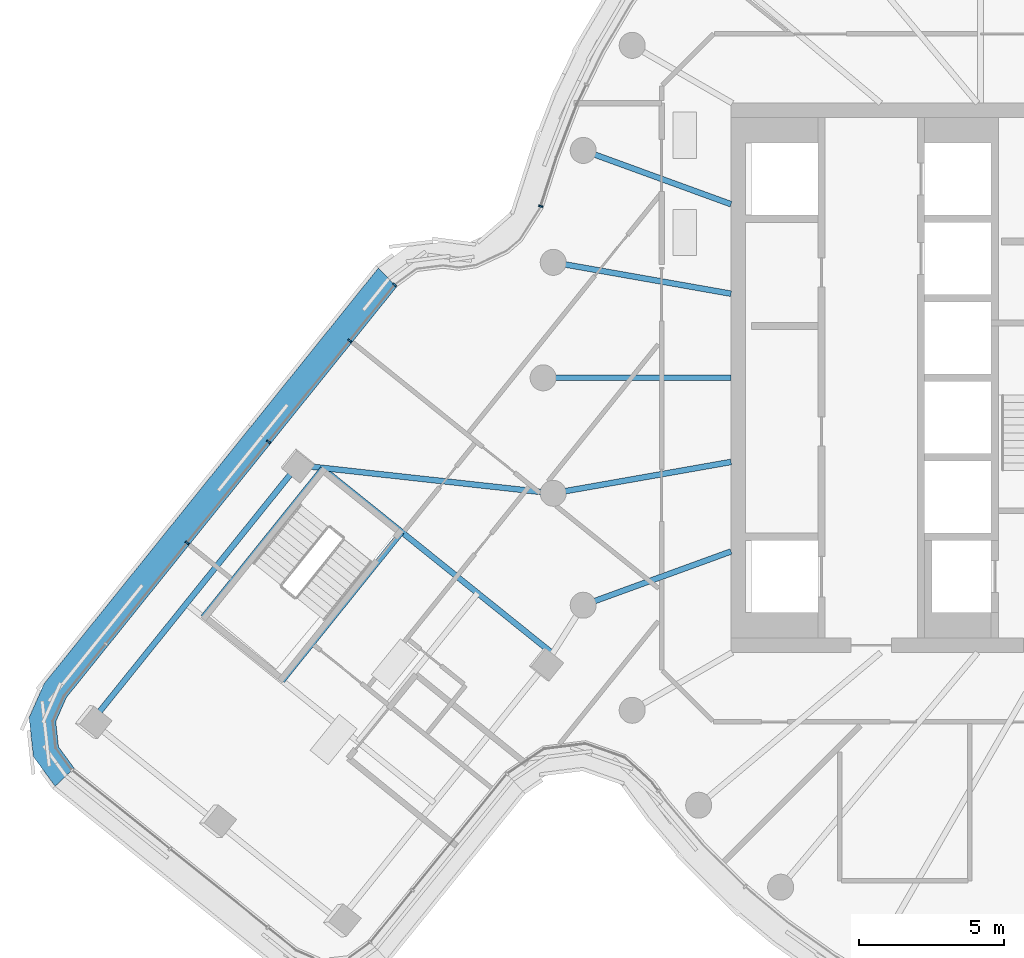
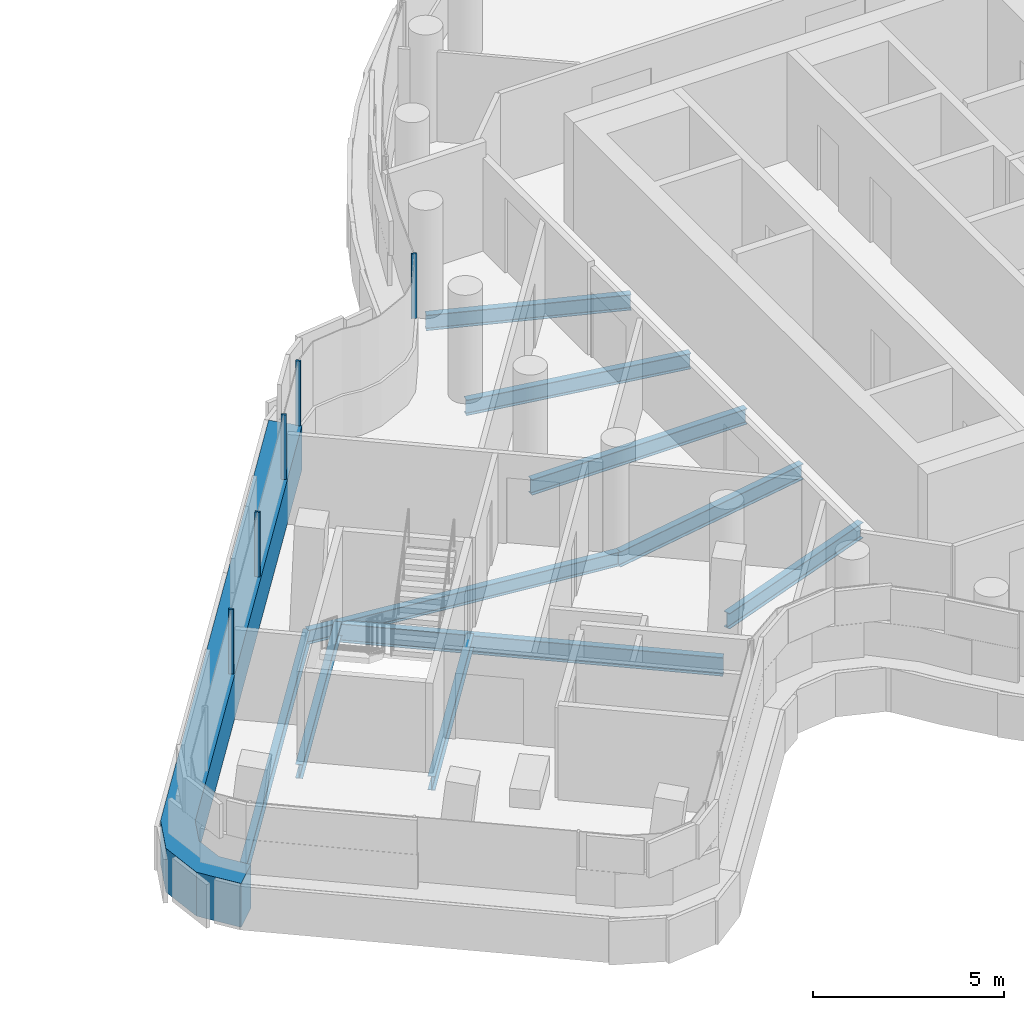
# One storey, part 6 of 25: 10 beams, 6 members, 2 elements without a shape of their own.
"""IFC4 building model written with IfcOpenShell, lengths in metres."""

import ifcopenshell
import ifcopenshell.guid

model = None  # the IFC model being written
_history = None  # IfcOwnerHistory: only IFC2X3 demands one
_inside = {}  # id of a spatial element -> (the spatial element, [elements in it])
_under = {}  # id of a project, library or spatial element -> (it, [spatial elements below it])
_declared = {}  # id of a project -> (the project, [libraries it declares])
_typed = {}  # id of a type object -> (the type object, [elements of that type])
_made_of = {}  # id of a material, layer set ... -> (it, [elements and type objects made of it])


def new_model(schema):
    """Start an empty IFC model of exactly this schema.

    Asked for "IFC4X3", IfcOpenShell would pick the latest addendum, in which some entities
    have other attributes; the version numbers below select the first issue.
    IFC2X3 requires an IfcOwnerHistory on every rooted entity: one is made here for all.
    """
    global model, _history
    if schema == "IFC4X3":
        model = ifcopenshell.file(schema_version=(4, 3, 0, 0))
    else:
        model = ifcopenshell.file(schema=schema)
    _inside.clear()
    _under.clear()
    _declared.clear()
    _typed.clear()
    _made_of.clear()
    _history = None
    if model.schema == "IFC2X3":
        org = make("IfcOrganization", Name="unknown")
        user = make(
            "IfcPersonAndOrganization",
            ThePerson=make("IfcPerson", FamilyName="unknown"),
            TheOrganization=org,
        )
        app = make(
            "IfcApplication",
            ApplicationDeveloper=org,
            Version="unknown",
            ApplicationFullName="unknown",
            ApplicationIdentifier="unknown",
        )
        _history = make(
            "IfcOwnerHistory",
            OwningUser=user,
            OwningApplication=app,
            ChangeAction="ADDED",
            CreationDate=0,
        )
    return model


def make(cls, **values):
    """One entity of the class cls with the attributes given. An attribute that is None is left unset."""
    return model.create_entity(
        cls, **{name: value for name, value in values.items() if value is not None}
    )


def rooted(cls, **values):
    """An entity with a GlobalId (a new one), such as an element, a storey or a relation."""
    return make(cls, GlobalId=ifcopenshell.guid.new(), OwnerHistory=_history, **values)


def si_unit(unit_type, name, prefix=None):
    """IfcSIUnit, for example si_unit("LENGTHUNIT", "METRE", prefix="MILLI")."""
    return make("IfcSIUnit", UnitType=unit_type, Prefix=prefix, Name=name)


def assignment(units):
    """IfcUnitAssignment: the units of a project."""
    return None if units is None else make("IfcUnitAssignment", Units=units)


def point(xyz):
    """IfcCartesianPoint."""
    return None if xyz is None else make("IfcCartesianPoint", Coordinates=xyz)


def direction(xyz):
    """IfcDirection."""
    return None if xyz is None else make("IfcDirection", DirectionRatios=xyz)


def frame(location, z_axis=None, x_axis=None):
    """IfcAxis2Placement3D, a coordinate frame: its origin and axes. An axis left out is left unset."""
    return make(
        "IfcAxis2Placement3D",
        Location=point(location),
        Axis=direction(z_axis),
        RefDirection=direction(x_axis),
    )


def frame_2d(location, x_axis=None):
    """IfcAxis2Placement2D, a coordinate frame in the plane: its origin and x axis."""
    return make(
        "IfcAxis2Placement2D", Location=point(location), RefDirection=direction(x_axis)
    )


def origin():
    """The frame at (0, 0, 0) with its axes left unset."""
    return frame((0.0, 0.0, 0.0))


def origin_2d():
    """The frame at (0, 0) in the plane with its x axis left unset."""
    return frame_2d((0.0, 0.0))


def place(relative_to, where):
    """IfcLocalPlacement: puts the frame where relative to a parent placement (None: the world)."""
    return make(
        "IfcLocalPlacement", PlacementRelTo=relative_to, RelativePlacement=where
    )


def context(
    kind, dimensions, precision=None, world=None, true_north=None, identifier=None
):
    """IfcGeometricRepresentationContext, for example the 3D "Model" context."""
    return make(
        "IfcGeometricRepresentationContext",
        ContextIdentifier=identifier,
        ContextType=kind,
        CoordinateSpaceDimension=dimensions,
        Precision=precision,
        WorldCoordinateSystem=world,
        TrueNorth=true_north,
    )


def subcontext(parent, identifier, kind, view, scale=None):
    """IfcGeometricRepresentationSubContext, for example "Body" below "Model"."""
    return make(
        "IfcGeometricRepresentationSubContext",
        ContextIdentifier=identifier,
        ContextType=kind,
        ParentContext=parent,
        TargetScale=scale,
        TargetView=view,
    )


def project(units=None, contexts=None):
    """IfcProject with its units and contexts."""
    return rooted(
        "IfcProject",
        Name="project",
        RepresentationContexts=contexts,
        UnitsInContext=assignment(units),
    )


def spatial(cls, under=None, at=None, **own):
    """A site, building, storey or space (cls), placed at a placement, below another one or the project."""
    s = rooted(cls, ObjectPlacement=at, **own)
    if under is not None:
        _under.setdefault(under.id(), (under, []))[1].append(s)
    return s


def polyline(points):
    """IfcPolyline through the points."""
    return make("IfcPolyline", Points=[point(p) for p in points])


def profile(cls, at=None, kind="AREA", **sizes):
    """A parametric profile (cls). Its sizes go by their IFC names, for example OverallWidth=200.0."""
    return make(cls, ProfileType=kind, Position=at, **sizes)


def rectangle(**sizes):
    """IfcRectangleProfileDef."""
    return profile("IfcRectangleProfileDef", **sizes)


def i_section(**sizes):
    """IfcIShapeProfileDef."""
    return profile("IfcIShapeProfileDef", **sizes)


def outline(outer, holes=None, kind="AREA"):
    """IfcArbitraryClosedProfileDef: a profile drawn as a closed curve; with holes, ...WithVoids."""
    if holes is None:
        return make("IfcArbitraryClosedProfileDef", ProfileType=kind, OuterCurve=outer)
    return make(
        "IfcArbitraryProfileDefWithVoids",
        ProfileType=kind,
        OuterCurve=outer,
        InnerCurves=holes,
    )


def extrude(swept, where, along, depth):
    """IfcExtrudedAreaSolid: the profile swept, set in the frame where, extruded along a direction by depth."""
    return make(
        "IfcExtrudedAreaSolid",
        SweptArea=swept,
        Position=where,
        ExtrudedDirection=direction(along),
        Depth=depth,
    )


def shape(context_of_items, identifier, shape_type, items):
    """IfcShapeRepresentation: the items that make up one representation, for example the "Body"."""
    return make(
        "IfcShapeRepresentation",
        ContextOfItems=context_of_items,
        RepresentationIdentifier=identifier,
        RepresentationType=shape_type,
        Items=items,
    )


def material(Name=None, Category=None):
    """IfcMaterial."""
    return make("IfcMaterial", Name=Name, Category=Category)


def layer(
    of_material, thickness, ventilated=None, Name=None, Category=None, Priority=None
):
    """IfcMaterialLayer: one layer of a wall or slab, of a material (None: an air gap)."""
    return make(
        "IfcMaterialLayer",
        Material=of_material,
        LayerThickness=thickness,
        IsVentilated=ventilated,
        Name=Name,
        Category=Category,
        Priority=Priority,
    )


def layer_set(layers, Name=None):
    """IfcMaterialLayerSet."""
    return make("IfcMaterialLayerSet", MaterialLayers=layers, LayerSetName=Name)


def material_profile(
    of_material, cross_section, Name=None, Category=None, Priority=None
):
    """IfcMaterialProfile: a cross section and its material."""
    return make(
        "IfcMaterialProfile",
        Name=Name,
        Material=of_material,
        Profile=cross_section,
        Priority=Priority,
        Category=Category,
    )


def profile_set(profiles, Name=None, composite=None):
    """IfcMaterialProfileSet."""
    return make(
        "IfcMaterialProfileSet",
        Name=Name,
        MaterialProfiles=profiles,
        CompositeProfile=composite,
    )


def made_of(thing, what):
    """Note that an element or type object is made of a material, layer set ...; save() writes the relation."""
    if what is not None:
        _made_of.setdefault(what.id(), (what, []))[1].append(thing)
    return thing


def type_object(cls, material=None, **own):
    """A type object (cls), such as IfcWallType, which elements share."""
    return made_of(rooted(cls, **own), material)


def element(
    cls,
    number,
    at=None,
    inside=None,
    cuts=None,
    type_object=None,
    material=None,
    context=None,
    identifier="Body",
    shape_type=None,
    held_by="IfcProductDefinitionShape",
    body=None,
    shapes=None,
    **own,
):
    """One element of the class cls, such as IfcWall. Its Tag is "e" and its number.

    at: its placement. inside: the storey or other place that contains it. cuts: it is an
    opening in that element (IfcRelVoidsElement). A single representation is given by context,
    identifier, shape_type and body (its items); several are given by shapes. held_by: the class
    of the entity that holds the representations. save() writes the other relations.
    """
    e = rooted(cls, Tag="e%d" % number, ObjectPlacement=at, **own)
    if body is not None:
        shapes = [shape(context, identifier, shape_type, body)]
    if shapes is not None:
        e.Representation = make(held_by, Representations=shapes)
    if inside is not None:
        _inside.setdefault(inside.id(), (inside, []))[1].append(e)
    if cuts is not None:
        rooted(
            "IfcRelVoidsElement", RelatingBuildingElement=cuts, RelatedOpeningElement=e
        )
    if type_object is not None:
        _typed.setdefault(type_object.id(), (type_object, []))[1].append(e)
    return made_of(e, material)


def aggregate(whole, parts):
    """IfcRelAggregates: a whole, such as a stair, and the parts it consists of."""
    return rooted("IfcRelAggregates", RelatingObject=whole, RelatedObjects=parts)


def save(model, path):
    """Write the relations noted so far, then the file.

    IfcRelAggregates (storeys below a building ...), IfcRelContainedInSpatialStructure (elements
    in a storey), IfcRelDefinesByType, IfcRelAssociatesMaterial and IfcRelDeclares: one each for
    every whole, place, type object, material and project.
    """
    for whole, parts in _under.values():
        aggregate(whole, parts)
    for where, things in _inside.values():
        rooted(
            "IfcRelContainedInSpatialStructure",
            RelatedElements=things,
            RelatingStructure=where,
        )
    for kind, things in _typed.values():
        rooted("IfcRelDefinesByType", RelatedObjects=things, RelatingType=kind)
    for what, things in _made_of.values():
        rooted("IfcRelAssociatesMaterial", RelatedObjects=things, RelatingMaterial=what)
    for by, libraries in _declared.values():
        rooted("IfcRelDeclares", RelatingContext=by, RelatedDefinitions=libraries)
    model.write(path)


model = new_model("IFC4")

# Units and contexts
model_context = context("Model", 3, precision=1e-05, world=origin(), true_north=direction((0.0, 1.0)))
body_context = subcontext(model_context, "Body", "Model", "MODEL_VIEW")
ifc_project = project(units=[si_unit("LENGTHUNIT", "METRE"), si_unit("AREAUNIT", "SQUARE_METRE"), si_unit("VOLUMEUNIT", "CUBIC_METRE"), si_unit("PLANEANGLEUNIT", "RADIAN"), si_unit("MASSUNIT", "GRAM", prefix="KILO")], contexts=[model_context])

# Site, building, storey
site_placement = place(None, origin())
site = spatial("IfcSite", under=ifc_project, at=site_placement, CompositionType="ELEMENT")
building_placement = place(site_placement, origin())
building = spatial("IfcBuilding", under=site, at=building_placement, Name="Tamarind Cross Interchange Tower", CompositionType="ELEMENT")
storey_placement = place(building_placement, frame((0.0, 0.0, 219.89990234375)))
storey = spatial("IfcBuildingStorey", under=building, at=storey_placement, Name="L55", CompositionType="ELEMENT", Elevation=219.89990234375)

# Beams
ifc_material_1 = material(Name="Steel Q355B", Category="steel")
ifc_material_profile_1 = material_profile(ifc_material_1, i_section(OverallWidth=0.198974609375, OverallDepth=0.446044921875, WebThickness=0.008056640625, FlangeThickness=0.011962890625, FilletRadius=0.012939453125, at=origin_2d()), Name="HN 446x199x8x12")
ifc_profile_set_1 = profile_set([ifc_material_profile_1], Name="Steel Q355B")
beam_type_1 = type_object("IfcBeamType", Name="Composite beam HN 446x199x8x12 Q355B", PredefinedType="BEAM", material=ifc_profile_set_1)
beam_1_placement = place(storey_placement, frame((-38.62353515625, -11.895263671875, -0.36279296875), z_axis=(0.626685346843, 0.779272401701, 0.0), x_axis=(-0.779272401701, 0.626685346843, 0.0)))
element("IfcBeam", 1, at=beam_1_placement, inside=storey, type_object=beam_type_1, Name="Beam W-edgeem4", PredefinedType="BEAM", context=body_context, shape_type="SweptSolid", body=[
    extrude(i_section(OverallWidth=0.198974609375, OverallDepth=0.446044921875, WebThickness=0.008056640625, FlangeThickness=0.011962890625, FilletRadius=0.012939453125, at=origin_2d()), origin(), (0.0, 0.0, 1.0), 11.38720703125),
])
beam_2_placement = place(storey_placement, frame((-31.4873046875, -3.021484375, -0.36279296875), z_axis=(0.993999728694, -0.109382536798, 0.0), x_axis=(0.109382536798, 0.993999728694, 0.0)))
element("IfcBeam", 2, at=beam_2_placement, inside=storey, type_object=beam_type_1, Name="Beam W-linkem", PredefinedType="BEAM", context=body_context, shape_type="SweptSolid", body=[
    extrude(i_section(OverallWidth=0.198974609375, OverallDepth=0.446044921875, WebThickness=0.008056640625, FlangeThickness=0.011962890625, FilletRadius=0.012939453125, at=origin_2d()), origin(), (0.0, 0.0, 1.0), 8.889892578125),
])
for number, where, z_axis, x_axis, name in (
    (3, (-30.620849609375, -3.140625, -0.36279296875), (-0.62668686962, -0.779271177092, 0.0), (0.779271177092, -0.62668686962, 0.0), "Beam W-tr0"),
    (4, (-27.8935546875, -5.333984375, -0.36279296875), (-0.626664406078, -0.779289241653, 0.0), (0.779289241653, -0.626664406078, 0.0), "Beam W-tr1"),
):
    element("IfcBeam", number, at=place(storey_placement, frame(where, z_axis=z_axis, x_axis=x_axis)), inside=storey, type_object=beam_type_1, Name=name, PredefinedType="BEAM", context=body_context, shape_type="SweptSolid", body=[
        extrude(i_section(OverallWidth=0.198974609375, OverallDepth=0.446044921875, WebThickness=0.008056640625, FlangeThickness=0.011962890625, FilletRadius=0.012939453125, at=origin_2d()), origin(), (0.0, 0.0, 1.0), 6.60009765625),
    ])
ifc_material_profile_2 = material_profile(ifc_material_1, i_section(OverallWidth=0.198974609375, OverallDepth=0.49609375, WebThickness=0.009033203125, FlangeThickness=0.013916015625, FilletRadius=0.012939453125, at=origin_2d()), Name="HN 496x199x9x14")
ifc_profile_set_2 = profile_set([ifc_material_profile_2], Name="Steel Q355B")
beam_type_2 = type_object("IfcBeamType", Name="Composite beam HN 496x199x9x14 Q355B", PredefinedType="BEAM", material=ifc_profile_set_2)
beam_3_placement = place(storey_placement, frame((-21.613037109375, 7.866455078125, -0.387939453125), z_axis=(0.939701685589, -0.341995236956, 0.0), x_axis=(0.341995236956, 0.939701685589, 0.0)))
element("IfcBeam", 5, at=beam_3_placement, inside=storey, type_object=beam_type_2, Name="Beam HH16", PredefinedType="BEAM", context=body_context, shape_type="SweptSolid", body=[
    extrude(i_section(OverallWidth=0.198974609375, OverallDepth=0.49609375, WebThickness=0.009033203125, FlangeThickness=0.013916015625, FilletRadius=0.012939453125, at=origin_2d()), origin(), (0.0, 0.0, 1.0), 5.441162109375),
])
beam_4_placement = place(storey_placement, frame((-22.650634765625, 3.993896484375, -0.387939453125), z_axis=(0.984809127561, -0.173640382036, 0.0), x_axis=(0.173640382036, 0.984809127561, 0.0)))
element("IfcBeam", 6, at=beam_4_placement, inside=storey, type_object=beam_type_2, Name="Beam HH17", PredefinedType="BEAM", context=body_context, shape_type="SweptSolid", body=[
    extrude(i_section(OverallWidth=0.198974609375, OverallDepth=0.49609375, WebThickness=0.009033203125, FlangeThickness=0.013916015625, FilletRadius=0.012939453125, at=origin_2d()), origin(), (0.0, 0.0, 1.0), 6.24560546875),
])
beam_5_placement = place(storey_placement, frame((-23.0, 0.0, -0.387939453125), z_axis=(1.0, 0.0, 0.0), x_axis=(0.0, 1.0, 0.0)))
element("IfcBeam", 7, at=beam_5_placement, inside=storey, type_object=beam_type_2, Name="Beam HH18", PredefinedType="BEAM", context=body_context, shape_type="SweptSolid", body=[
    extrude(i_section(OverallWidth=0.198974609375, OverallDepth=0.49609375, WebThickness=0.009033203125, FlangeThickness=0.013916015625, FilletRadius=0.012939453125, at=origin_2d()), origin(), (0.0, 0.0, 1.0), 6.5),
])
beam_6_placement = place(storey_placement, frame((-22.650634765625, -3.993896484375, -0.387939453125), z_axis=(0.984809127561, 0.173640382036, 0.0), x_axis=(-0.173640382036, 0.984809127561, 0.0)))
element("IfcBeam", 8, at=beam_6_placement, inside=storey, type_object=beam_type_2, Name="Beam HH19", PredefinedType="BEAM", context=body_context, shape_type="SweptSolid", body=[
    extrude(i_section(OverallWidth=0.198974609375, OverallDepth=0.49609375, WebThickness=0.009033203125, FlangeThickness=0.013916015625, FilletRadius=0.012939453125, at=origin_2d()), origin(), (0.0, 0.0, 1.0), 6.24560546875),
])
beam_7_placement = place(storey_placement, frame((-21.613037109375, -7.866455078125, -0.387939453125), z_axis=(0.939701685589, 0.341995236956, 0.0), x_axis=(-0.341995236956, 0.939701685589, 0.0)))
element("IfcBeam", 9, at=beam_7_placement, inside=storey, type_object=beam_type_2, Name="Beam HH20", PredefinedType="BEAM", context=body_context, shape_type="SweptSolid", body=[
    extrude(i_section(OverallWidth=0.198974609375, OverallDepth=0.49609375, WebThickness=0.009033203125, FlangeThickness=0.013916015625, FilletRadius=0.012939453125, at=origin_2d()), origin(), (0.0, 0.0, 1.0), 5.441162109375),
])
ifc_material_profile_3 = material_profile(ifc_material_1, i_section(OverallWidth=0.198974609375, OverallDepth=0.595947265625, WebThickness=0.010009765625, FlangeThickness=0.014892578125, FilletRadius=0.012939453125, at=origin_2d()), Name="HN 596x199x10x15")
ifc_profile_set_3 = profile_set([ifc_material_profile_3], Name="Steel Q355B")
beam_type_3 = type_object("IfcBeamType", Name="Composite beam HN 596x199x10x15 Q355B", PredefinedType="BEAM", material=ifc_profile_set_3)
beam_8_placement = place(storey_placement, frame((-30.655517578125, -3.113037109375, -0.43798828125), z_axis=(0.77928758098, -0.626666471203, 0.0), x_axis=(0.626666471203, 0.77928758098, 0.0)))
element("IfcBeam", 10, at=beam_8_placement, inside=storey, type_object=beam_type_3, Name="Beam W-x298", PredefinedType="BEAM", context=body_context, shape_type="SweptSolid", body=[
    extrude(i_section(OverallWidth=0.198974609375, OverallDepth=0.595947265625, WebThickness=0.010009765625, FlangeThickness=0.014892578125, FilletRadius=0.012939453125, at=origin_2d()), origin(), (0.0, 0.0, 1.0), 10.244140625),
])

# Curtain wall, members
ifc_material_2 = material(Name="Aluminium 6063-T6", Category="aluminium")
ifc_layer_1 = layer(ifc_material_2, 0.139892578125)
ifc_layer_set_1 = layer_set([ifc_layer_1], Name="Aluminium 6063-T6")
curtain_wall_type_1 = type_object("IfcCurtainWallType", Name="Hotel curtain wall, 4.5 m bays", PredefinedType="NOTDEFINED", material=ifc_layer_set_1)
curtain_wall_1_placement = place(storey_placement, origin())
curtain_wall_1 = element("IfcCurtainWall", 11, at=curtain_wall_1_placement, inside=storey, type_object=curtain_wall_type_1, Name="CWS-L55-07", PredefinedType="NOTDEFINED")
ifc_material_3 = material(Name="Aluminium and insulated spandrel panel", Category="aluminium")
member_type_1 = type_object("IfcMemberType", Name="Floor-edge blade transom", PredefinedType="USERDEFINED", material=ifc_material_3)
member_1_placement = place(storey_placement, origin())
member_1 = element("IfcMember", 12, at=member_1_placement, type_object=member_type_1, Name="CWT-L55-07", ObjectType="TRANSOM", PredefinedType="USERDEFINED", context=body_context, shape_type="SweptSolid", body=[
    extrude(outline(polyline([(-28.069091796875, 3.144287109375), (-39.488525390625, -11.05615234375), (-39.85791015625, -11.8935546875), (-39.763427734375, -12.762939453125), (-39.222900390625, -13.501708984375), (-39.87939453125, -14.12890625), (-40.63232421875, -13.099853515625), (-40.778564453125, -11.7509765625), (-40.263916015625, -10.58447265625), (-28.69775390625, 3.798583984375), (-28.069091796875, 3.144287109375)])), origin(), (0.0, 0.0, 1.0), 1.400146484375),
])
ifc_material_profile_4 = material_profile(ifc_material_2, rectangle(XDim=0.06005859375, YDim=0.139892578125, at=origin_2d()), Name="Mullion CW2")
ifc_profile_set_4 = profile_set([ifc_material_profile_4], Name="Aluminium 6063-T6")
member_type_2 = type_object("IfcMemberType", Name="Mullion CW2", PredefinedType="MULLION", material=ifc_profile_set_4)
member_2_placement = place(storey_placement, frame((-28.138916015625, 3.217041015625, 1.400146484375), z_axis=(0.0, 0.0, 1.0), x_axis=(-0.721207467832, -0.692719126589, 0.0)))
member_2 = element("IfcMember", 13, at=member_2_placement, type_object=member_type_2, Name="CWM-L55-07-00", PredefinedType="MULLION", context=body_context, shape_type="SweptSolid", body=[
    extrude(rectangle(XDim=0.06005859375, YDim=0.139892578125, at=origin_2d()), origin(), (0.0, 0.0, 1.0), 2.06005859375),
])
member_3_placement = place(storey_placement, frame((-29.692138671875, 1.285400390625, 1.400146484375), z_axis=(0.0, 0.0, 1.0), x_axis=(-0.62666909883, -0.779285467959, 0.0)))
member_3 = element("IfcMember", 14, at=member_3_placement, type_object=member_type_2, Name="CWM-L55-07-01", PredefinedType="MULLION", context=body_context, shape_type="SweptSolid", body=[
    extrude(rectangle(XDim=0.06005859375, YDim=0.139892578125, at=origin_2d()), origin(), (0.0, 0.0, 1.0), 2.06005859375),
])
member_4_placement = place(storey_placement, frame((-32.504150390625, -2.21142578125, 1.400146484375), z_axis=(0.0, 0.0, 1.0), x_axis=(-0.62666909883, -0.779285467959, 0.0)))
member_4 = element("IfcMember", 15, at=member_4_placement, type_object=member_type_2, Name="CWM-L55-07-02", PredefinedType="MULLION", context=body_context, shape_type="SweptSolid", body=[
    extrude(rectangle(XDim=0.06005859375, YDim=0.139892578125, at=origin_2d()), origin(), (0.0, 0.0, 1.0), 2.06005859375),
])
member_5_placement = place(storey_placement, frame((-35.316162109375, -5.708251953125, 1.400146484375), z_axis=(0.0, 0.0, 1.0), x_axis=(-0.62666909883, -0.779285467959, 0.0)))
member_5 = element("IfcMember", 16, at=member_5_placement, type_object=member_type_2, Name="CWM-L55-07-03", PredefinedType="MULLION", context=body_context, shape_type="SweptSolid", body=[
    extrude(rectangle(XDim=0.06005859375, YDim=0.139892578125, at=origin_2d()), origin(), (0.0, 0.0, 1.0), 2.06005859375),
])
aggregate(curtain_wall_1, [member_2, member_3, member_4, member_5, member_1])

# Curtain wall, member
ifc_layer_2 = layer(ifc_material_2, 0.14990234375)
ifc_layer_set_2 = layer_set([ifc_layer_2], Name="Aluminium 6063-T6")
curtain_wall_type_2 = type_object("IfcCurtainWallType", Name="Winter garden and crown curtain wall", PredefinedType="NOTDEFINED", material=ifc_layer_set_2)
curtain_wall_2_placement = place(storey_placement, origin())
curtain_wall_2 = element("IfcCurtainWall", 17, at=curtain_wall_2_placement, inside=storey, type_object=curtain_wall_type_2, Name="CWS-L55-06", PredefinedType="NOTDEFINED")
ifc_material_profile_5 = material_profile(ifc_material_2, rectangle(XDim=0.06005859375, YDim=0.14990234375, at=origin_2d()), Name="Mullion CW6")
ifc_profile_set_5 = profile_set([ifc_material_profile_5], Name="Aluminium 6063-T6")
member_type_3 = type_object("IfcMemberType", Name="Mullion CW6", PredefinedType="MULLION", material=ifc_profile_set_5)
member_6_placement = place(storey_placement, frame((-23.084716796875, 5.934814453125, 1.400146484375), z_axis=(0.0, 0.0, 1.0), x_axis=(-0.306224535834, -0.951959313024, 0.0)))
member_6 = element("IfcMember", 18, at=member_6_placement, type_object=member_type_3, Name="CWM-L55-06-04", PredefinedType="MULLION", context=body_context, shape_type="SweptSolid", body=[
    extrude(rectangle(XDim=0.06005859375, YDim=0.14990234375, at=origin_2d()), origin(), (0.0, 0.0, 1.0), 2.06005859375),
])
aggregate(curtain_wall_2, [member_6])

save(model, "model.ifc")
